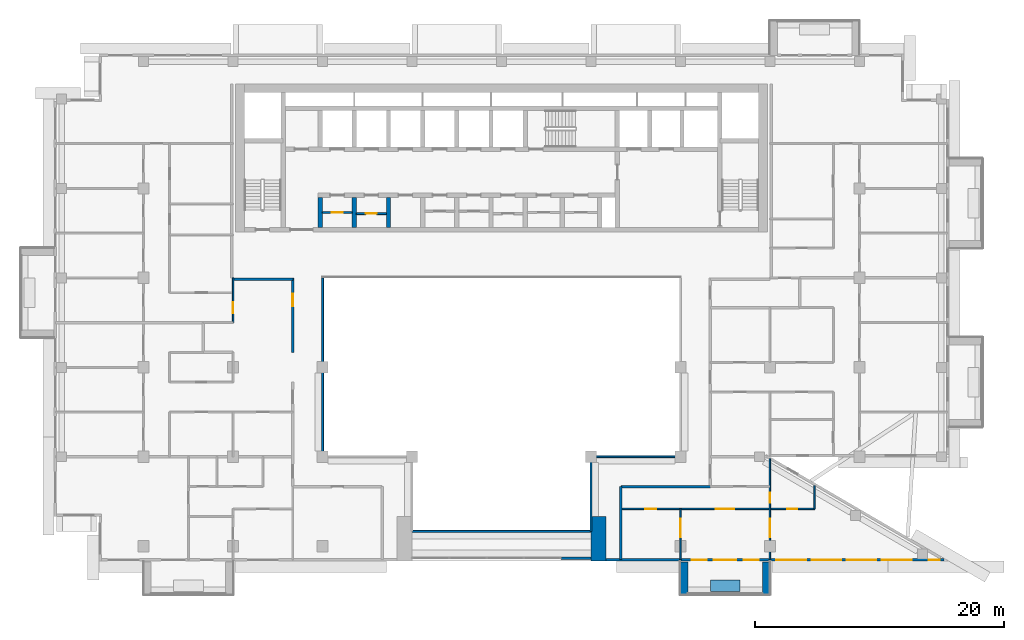
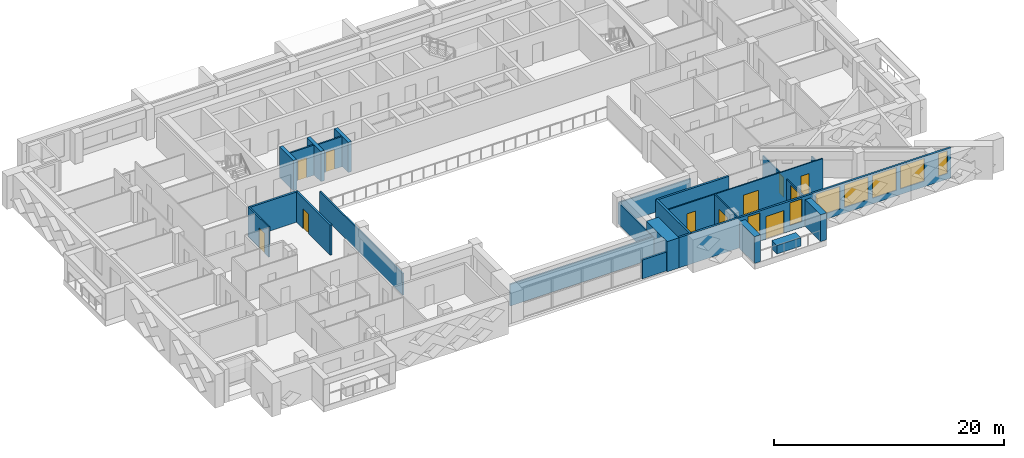
# One storey, part 8 of 20: 24 walls, 11 doors, 7 windows, 18 openings.
"""IFC4 building model written with IfcOpenShell, lengths in metres."""

import ifcopenshell
import ifcopenshell.guid

model = None  # the IFC model being written
_history = None  # IfcOwnerHistory: only IFC2X3 demands one
_inside = {}  # id of a spatial element -> (the spatial element, [elements in it])
_under = {}  # id of a project, library or spatial element -> (it, [spatial elements below it])
_declared = {}  # id of a project -> (the project, [libraries it declares])
_typed = {}  # id of a type object -> (the type object, [elements of that type])
_made_of = {}  # id of a material, layer set ... -> (it, [elements and type objects made of it])


def new_model(schema):
    """Start an empty IFC model of exactly this schema.

    Asked for "IFC4X3", IfcOpenShell would pick the latest addendum, in which some entities
    have other attributes; the version numbers below select the first issue.
    IFC2X3 requires an IfcOwnerHistory on every rooted entity: one is made here for all.
    """
    global model, _history
    if schema == "IFC4X3":
        model = ifcopenshell.file(schema_version=(4, 3, 0, 0))
    else:
        model = ifcopenshell.file(schema=schema)
    _inside.clear()
    _under.clear()
    _declared.clear()
    _typed.clear()
    _made_of.clear()
    _history = None
    if model.schema == "IFC2X3":
        org = make("IfcOrganization", Name="unknown")
        user = make(
            "IfcPersonAndOrganization",
            ThePerson=make("IfcPerson", FamilyName="unknown"),
            TheOrganization=org,
        )
        app = make(
            "IfcApplication",
            ApplicationDeveloper=org,
            Version="unknown",
            ApplicationFullName="unknown",
            ApplicationIdentifier="unknown",
        )
        _history = make(
            "IfcOwnerHistory",
            OwningUser=user,
            OwningApplication=app,
            ChangeAction="ADDED",
            CreationDate=0,
        )
    return model


def make(cls, **values):
    """One entity of the class cls with the attributes given. An attribute that is None is left unset."""
    return model.create_entity(
        cls, **{name: value for name, value in values.items() if value is not None}
    )


def rooted(cls, **values):
    """An entity with a GlobalId (a new one), such as an element, a storey or a relation."""
    return make(cls, GlobalId=ifcopenshell.guid.new(), OwnerHistory=_history, **values)


def si_unit(unit_type, name, prefix=None):
    """IfcSIUnit, for example si_unit("LENGTHUNIT", "METRE", prefix="MILLI")."""
    return make("IfcSIUnit", UnitType=unit_type, Prefix=prefix, Name=name)


def assignment(units):
    """IfcUnitAssignment: the units of a project."""
    return None if units is None else make("IfcUnitAssignment", Units=units)


def point(xyz):
    """IfcCartesianPoint."""
    return None if xyz is None else make("IfcCartesianPoint", Coordinates=xyz)


def direction(xyz):
    """IfcDirection."""
    return None if xyz is None else make("IfcDirection", DirectionRatios=xyz)


def frame(location, z_axis=None, x_axis=None):
    """IfcAxis2Placement3D, a coordinate frame: its origin and axes. An axis left out is left unset."""
    return make(
        "IfcAxis2Placement3D",
        Location=point(location),
        Axis=direction(z_axis),
        RefDirection=direction(x_axis),
    )


def frame_2d(location, x_axis=None):
    """IfcAxis2Placement2D, a coordinate frame in the plane: its origin and x axis."""
    return make(
        "IfcAxis2Placement2D", Location=point(location), RefDirection=direction(x_axis)
    )


def origin():
    """The frame at (0, 0, 0) with its axes left unset."""
    return frame((0.0, 0.0, 0.0))


def place(relative_to, where):
    """IfcLocalPlacement: puts the frame where relative to a parent placement (None: the world)."""
    return make(
        "IfcLocalPlacement", PlacementRelTo=relative_to, RelativePlacement=where
    )


def context(
    kind, dimensions, precision=None, world=None, true_north=None, identifier=None
):
    """IfcGeometricRepresentationContext, for example the 3D "Model" context."""
    return make(
        "IfcGeometricRepresentationContext",
        ContextIdentifier=identifier,
        ContextType=kind,
        CoordinateSpaceDimension=dimensions,
        Precision=precision,
        WorldCoordinateSystem=world,
        TrueNorth=true_north,
    )


def subcontext(parent, identifier, kind, view, scale=None):
    """IfcGeometricRepresentationSubContext, for example "Body" below "Model"."""
    return make(
        "IfcGeometricRepresentationSubContext",
        ContextIdentifier=identifier,
        ContextType=kind,
        ParentContext=parent,
        TargetScale=scale,
        TargetView=view,
    )


def project(units=None, contexts=None):
    """IfcProject with its units and contexts."""
    return rooted(
        "IfcProject",
        Name="project",
        RepresentationContexts=contexts,
        UnitsInContext=assignment(units),
    )


def spatial(cls, under=None, at=None, **own):
    """A site, building, storey or space (cls), placed at a placement, below another one or the project."""
    s = rooted(cls, ObjectPlacement=at, **own)
    if under is not None:
        _under.setdefault(under.id(), (under, []))[1].append(s)
    return s


def profile(cls, at=None, kind="AREA", **sizes):
    """A parametric profile (cls). Its sizes go by their IFC names, for example OverallWidth=200.0."""
    return make(cls, ProfileType=kind, Position=at, **sizes)


def rectangle(**sizes):
    """IfcRectangleProfileDef."""
    return profile("IfcRectangleProfileDef", **sizes)


def extrude(swept, where, along, depth):
    """IfcExtrudedAreaSolid: the profile swept, set in the frame where, extruded along a direction by depth."""
    return make(
        "IfcExtrudedAreaSolid",
        SweptArea=swept,
        Position=where,
        ExtrudedDirection=direction(along),
        Depth=depth,
    )


def shape(context_of_items, identifier, shape_type, items):
    """IfcShapeRepresentation: the items that make up one representation, for example the "Body"."""
    return make(
        "IfcShapeRepresentation",
        ContextOfItems=context_of_items,
        RepresentationIdentifier=identifier,
        RepresentationType=shape_type,
        Items=items,
    )


def material(Name=None, Category=None):
    """IfcMaterial."""
    return make("IfcMaterial", Name=Name, Category=Category)


def layer(
    of_material, thickness, ventilated=None, Name=None, Category=None, Priority=None
):
    """IfcMaterialLayer: one layer of a wall or slab, of a material (None: an air gap)."""
    return make(
        "IfcMaterialLayer",
        Material=of_material,
        LayerThickness=thickness,
        IsVentilated=ventilated,
        Name=Name,
        Category=Category,
        Priority=Priority,
    )


def layer_set(layers, Name=None):
    """IfcMaterialLayerSet."""
    return make("IfcMaterialLayerSet", MaterialLayers=layers, LayerSetName=Name)


def made_of(thing, what):
    """Note that an element or type object is made of a material, layer set ...; save() writes the relation."""
    if what is not None:
        _made_of.setdefault(what.id(), (what, []))[1].append(thing)
    return thing


def type_object(cls, material=None, **own):
    """A type object (cls), such as IfcWallType, which elements share."""
    return made_of(rooted(cls, **own), material)


def element(
    cls,
    number,
    at=None,
    inside=None,
    cuts=None,
    type_object=None,
    material=None,
    context=None,
    identifier="Body",
    shape_type=None,
    held_by="IfcProductDefinitionShape",
    body=None,
    shapes=None,
    **own,
):
    """One element of the class cls, such as IfcWall. Its Tag is "e" and its number.

    at: its placement. inside: the storey or other place that contains it. cuts: it is an
    opening in that element (IfcRelVoidsElement). A single representation is given by context,
    identifier, shape_type and body (its items); several are given by shapes. held_by: the class
    of the entity that holds the representations. save() writes the other relations.
    """
    e = rooted(cls, Tag="e%d" % number, ObjectPlacement=at, **own)
    if body is not None:
        shapes = [shape(context, identifier, shape_type, body)]
    if shapes is not None:
        e.Representation = make(held_by, Representations=shapes)
    if inside is not None:
        _inside.setdefault(inside.id(), (inside, []))[1].append(e)
    if cuts is not None:
        rooted(
            "IfcRelVoidsElement", RelatingBuildingElement=cuts, RelatedOpeningElement=e
        )
    if type_object is not None:
        _typed.setdefault(type_object.id(), (type_object, []))[1].append(e)
    return made_of(e, material)


def fill(opening, filler):
    """IfcRelFillsElement: the door or window that sits in an opening."""
    return rooted(
        "IfcRelFillsElement",
        RelatingOpeningElement=opening,
        RelatedBuildingElement=filler,
    )


def aggregate(whole, parts):
    """IfcRelAggregates: a whole, such as a stair, and the parts it consists of."""
    return rooted("IfcRelAggregates", RelatingObject=whole, RelatedObjects=parts)


def save(model, path):
    """Write the relations noted so far, then the file.

    IfcRelAggregates (storeys below a building ...), IfcRelContainedInSpatialStructure (elements
    in a storey), IfcRelDefinesByType, IfcRelAssociatesMaterial and IfcRelDeclares: one each for
    every whole, place, type object, material and project.
    """
    for whole, parts in _under.values():
        aggregate(whole, parts)
    for where, things in _inside.values():
        rooted(
            "IfcRelContainedInSpatialStructure",
            RelatedElements=things,
            RelatingStructure=where,
        )
    for kind, things in _typed.values():
        rooted("IfcRelDefinesByType", RelatedObjects=things, RelatingType=kind)
    for what, things in _made_of.values():
        rooted("IfcRelAssociatesMaterial", RelatedObjects=things, RelatingMaterial=what)
    for by, libraries in _declared.values():
        rooted("IfcRelDeclares", RelatingContext=by, RelatedDefinitions=libraries)
    model.write(path)


model = new_model("IFC4")

# Units and contexts
model_context = context("Model", 3, precision=1e-05, world=origin(), true_north=direction((0.0, 1.0)))
body_context = subcontext(model_context, "Body", "Model", "MODEL_VIEW")
ifc_project = project(units=[si_unit("LENGTHUNIT", "METRE"), si_unit("AREAUNIT", "SQUARE_METRE"), si_unit("VOLUMEUNIT", "CUBIC_METRE"), si_unit("PLANEANGLEUNIT", "RADIAN"), si_unit("MASSUNIT", "GRAM", prefix="KILO")], contexts=[model_context])

# Site, building, storey
site_placement = place(None, origin())
site = spatial("IfcSite", under=ifc_project, at=site_placement, CompositionType="ELEMENT")
building_placement = place(site_placement, origin())
building = spatial("IfcBuilding", under=site, at=building_placement, Name="Saffron Iwan Residences", CompositionType="ELEMENT")
storey_placement = place(building_placement, frame((0.0, 0.0, 188.5)))
storey = spatial("IfcBuildingStorey", under=building, at=storey_placement, Name="L50", CompositionType="ELEMENT", Elevation=188.5)

# Walls
ifc_material_1 = material(Name="Fire-rated glazing", Category="glass")
ifc_layer_1 = layer(ifc_material_1, 0.14990234375)
ifc_layer_set_1 = layer_set([ifc_layer_1], Name="Fire-rated glazing")
wall_type_1 = type_object("IfcWallType", Name="Atrium glazed screen 150", PredefinedType="SOLIDWALL", material=ifc_layer_set_1)
wall_1_placement = place(storey_placement, frame((43.199951171875, 42.0, 0.0), z_axis=(0.0, 0.0, 1.0), x_axis=(1.0, 0.0, 0.0)))
element("IfcWall", 1, at=wall_1_placement, inside=storey, type_object=wall_type_1, Name="W-L50-SCREEN-h42-43.2", PredefinedType="SOLIDWALL", context=body_context, shape_type="SweptSolid", body=[
    extrude(rectangle(XDim=14.400146484375, YDim=0.14990234375, at=frame_2d((7.2001953125, 0.0))), origin(), (0.0, 0.0, 1.0), 2.300048828125),
])
wall_2_placement = place(storey_placement, frame((57.60009765625, 48.0, 0.0), z_axis=(0.0, 0.0, 1.0), x_axis=(1.0, 0.0, 0.0)))
element("IfcWall", 2, at=wall_2_placement, inside=storey, type_object=wall_type_1, Name="W-L50-SCREEN-h48-57.6", PredefinedType="SOLIDWALL", context=body_context, shape_type="SweptSolid", body=[
    extrude(rectangle(XDim=7.199951171875, YDim=0.14990234375, at=frame_2d((3.60009765625, 0.0))), origin(), (0.0, 0.0, 1.0), 2.300048828125),
])
wall_3_placement = place(storey_placement, frame((36.0, 48.0, 0.0), z_axis=(0.0, 0.0, 1.0), x_axis=(0.0, 1.0, 0.0)))
element("IfcWall", 3, at=wall_3_placement, inside=storey, type_object=wall_type_1, Name="W-L50-SCREEN-v36-48", PredefinedType="SOLIDWALL", context=body_context, shape_type="SweptSolid", body=[
    extrude(rectangle(XDim=14.39990234375, YDim=0.14990234375, at=frame_2d((7.199951171875, 0.0))), origin(), (0.0, 0.0, 1.0), 2.300048828125),
])
wall_4_placement = place(storey_placement, frame((57.60009765625, 42.0, 0.0), z_axis=(0.0, 0.0, 1.0), x_axis=(0.0, 1.0, 0.0)))
element("IfcWall", 4, at=wall_4_placement, inside=storey, type_object=wall_type_1, Name="W-L50-SCREEN-v57.6-42", PredefinedType="SOLIDWALL", context=body_context, shape_type="SweptSolid", body=[
    extrude(rectangle(XDim=6.0, YDim=0.14990234375, at=frame_2d((3.0, 0.0))), origin(), (0.0, 0.0, 1.0), 2.300048828125),
])
ifc_material_2 = material(Name="Concrete C50/60 white painted", Category="concrete")
ifc_layer_2 = layer(ifc_material_2, 0.60009765625)
ifc_layer_set_2 = layer_set([ifc_layer_2], Name="Concrete C50/60 white painted")
wall_type_2 = type_object("IfcWallType", Name="BALCONY FIN 600", PredefinedType="SOLIDWALL", material=ifc_layer_set_2)
for number, where, z_axis, x_axis, name in (
    (5, (65.10009765625, 39.550048828125, 0.0), (0.0, 0.0, 1.0), (0.0, -1.0, 0.0), "Balcony fin L50 11-1a"),
    (6, (71.699951171875, 39.550048828125, 0.0), (0.0, 0.0, 1.0), (0.0, -1.0, 0.0), "Balcony fin L50 11-1b"),
):
    element("IfcWall", number, at=place(storey_placement, frame(where, z_axis=z_axis, x_axis=x_axis)), inside=storey, type_object=wall_type_2, Name=name, PredefinedType="SOLIDWALL", context=body_context, shape_type="SweptSolid", body=[
        extrude(rectangle(XDim=2.650146484375, YDim=0.60009765625, at=frame_2d((1.3251953125, 0.0))), origin(), (0.0, 0.0, 1.0), 2.85009765625),
    ])
ifc_material_3 = material(Name="Concrete C35/45 white painted", Category="concrete")
ifc_layer_3 = layer(ifc_material_3, 0.14990234375)
ifc_layer_set_3 = layer_set([ifc_layer_3], Name="Concrete C35/45 white painted")
wall_type_3 = type_object("IfcWallType", Name="BALCONY PLANTER", PredefinedType="SOLIDWALL", material=ifc_layer_set_3)
wall_5_placement = place(storey_placement, frame((67.199951171875, 37.625, 0.0), z_axis=(0.0, 0.0, 1.0), x_axis=(1.0, 0.0, 0.0)))
element("IfcWall", 7, at=wall_5_placement, inside=storey, type_object=wall_type_3, Name="PLANTER L50 11-1", PredefinedType="SOLIDWALL", context=body_context, shape_type="SweptSolid", body=[
    extrude(rectangle(XDim=2.400146484375, YDim=0.89990234375, at=frame_2d((1.2001953125, 0.0))), origin(), (0.0, 0.0, 1.0), 0.89990234375),
])

# Wall, opening, door
ifc_material_4 = material(Name="Fire-rated plasterboard partition")
ifc_layer_4 = layer(ifc_material_4, 0.14990234375)
ifc_layer_set_4 = layer_set([ifc_layer_4], Name="Fire-rated plasterboard partition")
wall_type_4 = type_object("IfcWallType", Name="Core partition 150", PredefinedType="PARTITIONING", material=ifc_layer_set_4)
wall_6_placement = place(storey_placement, frame((35.97509765625, 67.66259765625, 0.0), z_axis=(0.0, 0.0, 1.0), x_axis=(1.0, 0.0, 0.0)))
wall_6 = element("IfcWall", 8, at=wall_6_placement, inside=storey, type_object=wall_type_4, Name="Core partition P01", PredefinedType="PARTITIONING", context=body_context, shape_type="SweptSolid", body=[
    extrude(rectangle(XDim=2.39990234375, YDim=0.14990234375, at=frame_2d((1.199951171875, 0.0))), origin(), (0.0, 0.0, 1.0), 3.199951171875),
])
opening_1_placement = place(wall_6_placement, frame((0.75, 0.0, 0.0)))
opening_1 = element("IfcOpeningElement", 9, at=opening_1_placement, cuts=wall_6, Name="Opening SB", PredefinedType="OPENING", context=body_context, shape_type="SweptSolid", body=[
    extrude(rectangle(XDim=0.89990234375, YDim=2.10009765625, at=frame_2d((0.449951171875, 1.050048828125))), frame((0.0, 0.0849609375, 0.0), z_axis=(0.0, -1.0, 0.0), x_axis=(1.0, 0.0, 0.0)), (0.0, 0.0, 1.0), 0.169921875),
])
ifc_material_5 = material(Name="Steel fire door", Category="steel")
door_type_1 = type_object("IfcDoorType", Name="Store door 900", OperationType="NOTDEFINED", PredefinedType="DOOR", material=ifc_material_5)
door_1_placement = place(opening_1_placement, origin())
door_1 = element("IfcDoor", 10, at=door_1_placement, inside=storey, type_object=door_type_1, Name="Door Mop store", OperationType="SINGLE_SWING_RIGHT", OverallHeight=2.10009765625, OverallWidth=0.89990234375, PredefinedType="DOOR", context=body_context, shape_type="SweptSolid", body=[
    extrude(rectangle(XDim=0.89990234375, YDim=2.10009765625, at=frame_2d((0.449951171875, 1.050048828125))), frame((0.0, 0.02490234375, 0.0), z_axis=(0.0, -1.0, 0.0), x_axis=(1.0, 0.0, 0.0)), (0.0, 0.0, 1.0), 0.050048828125),
])
fill(opening_1, door_1)

wall_7_placement = place(storey_placement, frame((38.72509765625, 67.5654296875, 0.0), z_axis=(0.0, 0.0, 1.0), x_axis=(1.0, 0.0, 0.0)))
wall_7 = element("IfcWall", 11, at=wall_7_placement, inside=storey, type_object=wall_type_4, Name="Core partition P02", PredefinedType="PARTITIONING", context=body_context, shape_type="SweptSolid", body=[
    extrude(rectangle(XDim=2.39990234375, YDim=0.14990234375, at=frame_2d((1.199951171875, 0.0))), origin(), (0.0, 0.0, 1.0), 3.199951171875),
])
opening_2_placement = place(wall_7_placement, frame((0.75, 0.0, 0.0)))
opening_2 = element("IfcOpeningElement", 12, at=opening_2_placement, cuts=wall_7, Name="Opening SB", PredefinedType="OPENING", context=body_context, shape_type="SweptSolid", body=[
    extrude(rectangle(XDim=0.89990234375, YDim=2.10009765625, at=frame_2d((0.449951171875, 1.050048828125))), frame((0.0, 0.0849609375, 0.0), z_axis=(0.0, -1.0, 0.0), x_axis=(1.0, 0.0, 0.0)), (0.0, 0.0, 1.0), 0.169921875),
])
door_2_placement = place(opening_2_placement, origin())
door_2 = element("IfcDoor", 13, at=door_2_placement, inside=storey, type_object=door_type_1, Name="Door Spares store", OperationType="SINGLE_SWING_LEFT", OverallHeight=2.10009765625, OverallWidth=0.89990234375, PredefinedType="DOOR", context=body_context, shape_type="SweptSolid", body=[
    extrude(rectangle(XDim=0.89990234375, YDim=2.10009765625, at=frame_2d((0.449951171875, 1.050048828125))), frame((0.0, 0.02490234375, 0.0), z_axis=(0.0, -1.0, 0.0), x_axis=(1.0, 0.0, 0.0)), (0.0, 0.0, 1.0), 0.050048828125),
])
fill(opening_2, door_2)

# Wall, openings, door, windows
ifc_material_6 = material(Name="Concrete C40/50", Category="concrete")
ifc_layer_5 = layer(ifc_material_6, 0.199951171875)
ifc_layer_set_5 = layer_set([ifc_layer_5], Name="Concrete C40/50")
wall_type_5 = type_object("IfcWallType", Name="EXTERNAL WALL 200", PredefinedType="SOLIDWALL", material=ifc_layer_set_5)
wall_8_placement = place(storey_placement, frame((58.800048828125, 39.699951171875, 0.0), z_axis=(0.0, 0.0, 1.0), x_axis=(1.0, 0.0, 0.0)))
wall_8 = element("IfcWall", 14, at=wall_8_placement, inside=storey, type_object=wall_type_5, Name="External wall L50 F11.1", PredefinedType="SOLIDWALL", context=body_context, shape_type="SweptSolid", body=[
    extrude(rectangle(XDim=27.22998046875, YDim=0.199951171875, at=frame_2d((13.614990234375, 0.0))), origin(), (0.0, 0.0, 1.0), 3.199951171875),
])
opening_3_placement = place(wall_8_placement, frame((8.699951171875, 0.0, 0.0)))
opening_3 = element("IfcOpeningElement", 15, at=opening_3_placement, cuts=wall_8, Name="Opening BD1", PredefinedType="OPENING", context=body_context, shape_type="SweptSolid", body=[
    extrude(rectangle(XDim=1.800048828125, YDim=2.39990234375, at=frame_2d((0.89990234375, 1.199951171875))), frame((0.0, 0.10986328125, 0.0), z_axis=(0.0, -1.0, 0.0), x_axis=(1.0, 0.0, 0.0)), (0.0, 0.0, 1.0), 0.219970703125),
])
opening_4_placement = place(wall_8_placement, frame((6.89990234375, 0.0, 0.60009765625)))
opening_4 = element("IfcOpeningElement", 16, at=opening_4_placement, cuts=wall_8, Name="Opening W3", PredefinedType="OPENING", context=body_context, shape_type="SweptSolid", body=[
    extrude(rectangle(XDim=1.199951171875, YDim=2.39990234375, at=frame_2d((0.60009765625, 1.199951171875))), frame((0.0, 0.10986328125, 0.0), z_axis=(0.0, -1.0, 0.0), x_axis=(1.0, 0.0, 0.0)), (0.0, 0.0, 1.0), 0.219970703125),
])
opening_5_placement = place(wall_8_placement, frame((11.10009765625, 0.0, 0.60009765625)))
opening_5 = element("IfcOpeningElement", 17, at=opening_5_placement, cuts=wall_8, Name="Opening W3", PredefinedType="OPENING", context=body_context, shape_type="SweptSolid", body=[
    extrude(rectangle(XDim=1.199951171875, YDim=2.39990234375, at=frame_2d((0.60009765625, 1.199951171875))), frame((0.0, 0.10986328125, 0.0), z_axis=(0.0, -1.0, 0.0), x_axis=(1.0, 0.0, 0.0)), (0.0, 0.0, 1.0), 0.219970703125),
])
opening_6_placement = place(wall_8_placement, frame((13.72509765625, 0.0, 0.60009765625)))
opening_6 = element("IfcOpeningElement", 18, at=opening_6_placement, cuts=wall_8, Name="Opening W1", PredefinedType="OPENING", context=body_context, shape_type="SweptSolid", body=[
    extrude(rectangle(XDim=2.39990234375, YDim=2.39990234375, at=frame_2d((1.199951171875, 1.199951171875))), frame((0.0, 0.10986328125, 0.0), z_axis=(0.0, -1.0, 0.0), x_axis=(1.0, 0.0, 0.0)), (0.0, 0.0, 1.0), 0.219970703125),
])
opening_7_placement = place(wall_8_placement, frame((16.550537109375, 0.0, 0.60009765625)))
opening_7 = element("IfcOpeningElement", 19, at=opening_7_placement, cuts=wall_8, Name="Opening W1", PredefinedType="OPENING", context=body_context, shape_type="SweptSolid", body=[
    extrude(rectangle(XDim=2.39990234375, YDim=2.39990234375, at=frame_2d((1.199951171875, 1.199951171875))), frame((0.0, 0.10986328125, 0.0), z_axis=(0.0, -1.0, 0.0), x_axis=(1.0, 0.0, 0.0)), (0.0, 0.0, 1.0), 0.219970703125),
])
opening_8_placement = place(wall_8_placement, frame((19.375732421875, 0.0, 0.60009765625)))
opening_8 = element("IfcOpeningElement", 20, at=opening_8_placement, cuts=wall_8, Name="Opening W1", PredefinedType="OPENING", context=body_context, shape_type="SweptSolid", body=[
    extrude(rectangle(XDim=2.39990234375, YDim=2.39990234375, at=frame_2d((1.199951171875, 1.199951171875))), frame((0.0, 0.10986328125, 0.0), z_axis=(0.0, -1.0, 0.0), x_axis=(1.0, 0.0, 0.0)), (0.0, 0.0, 1.0), 0.219970703125),
])
opening_9_placement = place(wall_8_placement, frame((22.200927734375, 0.0, 0.60009765625)))
opening_9 = element("IfcOpeningElement", 21, at=opening_9_placement, cuts=wall_8, Name="Opening W1", PredefinedType="OPENING", context=body_context, shape_type="SweptSolid", body=[
    extrude(rectangle(XDim=2.39990234375, YDim=2.39990234375, at=frame_2d((1.199951171875, 1.199951171875))), frame((0.0, 0.10986328125, 0.0), z_axis=(0.0, -1.0, 0.0), x_axis=(1.0, 0.0, 0.0)), (0.0, 0.0, 1.0), 0.219970703125),
])
opening_10_placement = place(wall_8_placement, frame((25.978271484375, 0.0, 0.60009765625)))
opening_10 = element("IfcOpeningElement", 22, at=opening_10_placement, cuts=wall_8, Name="Opening W10", PredefinedType="OPENING", context=body_context, shape_type="SweptSolid", body=[
    extrude(rectangle(XDim=0.89990234375, YDim=2.39990234375, at=frame_2d((0.449951171875, 1.199951171875))), frame((0.0, 0.10986328125, 0.0), z_axis=(0.0, -1.0, 0.0), x_axis=(1.0, 0.0, 0.0)), (0.0, 0.0, 1.0), 0.219970703125),
])
ifc_material_7 = material(Name="Clear glass, laminated double glazed", Category="glass")
door_type_2 = type_object("IfcDoorType", Name="BALCONY DOOR 1800 x 2400", OperationType="DOUBLE_DOOR_SLIDING", PredefinedType="DOOR", material=ifc_material_7)
door_3_placement = place(opening_3_placement, origin())
door_3 = element("IfcDoor", 23, at=door_3_placement, inside=storey, type_object=door_type_2, Name="Balcony door L50 F11.0", OperationType="DOUBLE_DOOR_SLIDING", OverallHeight=2.39990234375, OverallWidth=1.800048828125, PredefinedType="DOOR", context=body_context, shape_type="SweptSolid", body=[
    extrude(rectangle(XDim=1.800048828125, YDim=2.39990234375, at=frame_2d((0.89990234375, 1.199951171875))), frame((0.0, 0.02490234375, 0.0), z_axis=(0.0, -1.0, 0.0), x_axis=(1.0, 0.0, 0.0)), (0.0, 0.0, 1.0), 0.050048828125),
])
fill(opening_3, door_3)
window_type_1 = type_object("IfcWindowType", Name="WINDOW 1200 x 2400", PartitioningType="SINGLE_PANEL", PredefinedType="WINDOW", material=ifc_material_7)
window_1_placement = place(opening_4_placement, origin())
window_1 = element("IfcWindow", 24, at=window_1_placement, inside=storey, type_object=window_type_1, Name="Window L50 F11.1", OverallHeight=2.39990234375, OverallWidth=1.199951171875, PartitioningType="SINGLE_PANEL", PredefinedType="WINDOW", context=body_context, shape_type="SweptSolid", body=[
    extrude(rectangle(XDim=1.199951171875, YDim=2.39990234375, at=frame_2d((0.60009765625, 1.199951171875))), frame((0.0, 0.030029296875, 0.0), z_axis=(0.0, -1.0, 0.0), x_axis=(1.0, 0.0, 0.0)), (0.0, 0.0, 1.0), 0.06005859375),
])
fill(opening_4, window_1)
window_2_placement = place(opening_5_placement, origin())
window_2 = element("IfcWindow", 25, at=window_2_placement, inside=storey, type_object=window_type_1, Name="Window L50 F11.2", OverallHeight=2.39990234375, OverallWidth=1.199951171875, PartitioningType="SINGLE_PANEL", PredefinedType="WINDOW", context=body_context, shape_type="SweptSolid", body=[
    extrude(rectangle(XDim=1.199951171875, YDim=2.39990234375, at=frame_2d((0.60009765625, 1.199951171875))), frame((0.0, 0.030029296875, 0.0), z_axis=(0.0, -1.0, 0.0), x_axis=(1.0, 0.0, 0.0)), (0.0, 0.0, 1.0), 0.06005859375),
])
fill(opening_5, window_2)
window_type_2 = type_object("IfcWindowType", Name="WINDOW 2400 x 2400", PartitioningType="DOUBLE_PANEL_VERTICAL", PredefinedType="WINDOW", material=ifc_material_7)
window_3_placement = place(opening_6_placement, origin())
window_3 = element("IfcWindow", 26, at=window_3_placement, inside=storey, type_object=window_type_2, Name="Window L50 F11.3", OverallHeight=2.39990234375, OverallWidth=2.39990234375, PartitioningType="DOUBLE_PANEL_VERTICAL", PredefinedType="WINDOW", context=body_context, shape_type="SweptSolid", body=[
    extrude(rectangle(XDim=2.39990234375, YDim=2.39990234375, at=frame_2d((1.199951171875, 1.199951171875))), frame((0.0, 0.030029296875, 0.0), z_axis=(0.0, -1.0, 0.0), x_axis=(1.0, 0.0, 0.0)), (0.0, 0.0, 1.0), 0.06005859375),
])
fill(opening_6, window_3)
window_4_placement = place(opening_7_placement, origin())
window_4 = element("IfcWindow", 27, at=window_4_placement, inside=storey, type_object=window_type_2, Name="Window L50 F11.4", OverallHeight=2.39990234375, OverallWidth=2.39990234375, PartitioningType="DOUBLE_PANEL_VERTICAL", PredefinedType="WINDOW", context=body_context, shape_type="SweptSolid", body=[
    extrude(rectangle(XDim=2.39990234375, YDim=2.39990234375, at=frame_2d((1.199951171875, 1.199951171875))), frame((0.0, 0.030029296875, 0.0), z_axis=(0.0, -1.0, 0.0), x_axis=(1.0, 0.0, 0.0)), (0.0, 0.0, 1.0), 0.06005859375),
])
fill(opening_7, window_4)
window_5_placement = place(opening_8_placement, origin())
window_5 = element("IfcWindow", 28, at=window_5_placement, inside=storey, type_object=window_type_2, Name="Window L50 F11.5", OverallHeight=2.39990234375, OverallWidth=2.39990234375, PartitioningType="DOUBLE_PANEL_VERTICAL", PredefinedType="WINDOW", context=body_context, shape_type="SweptSolid", body=[
    extrude(rectangle(XDim=2.39990234375, YDim=2.39990234375, at=frame_2d((1.199951171875, 1.199951171875))), frame((0.0, 0.030029296875, 0.0), z_axis=(0.0, -1.0, 0.0), x_axis=(1.0, 0.0, 0.0)), (0.0, 0.0, 1.0), 0.06005859375),
])
fill(opening_8, window_5)
window_6_placement = place(opening_9_placement, origin())
window_6 = element("IfcWindow", 29, at=window_6_placement, inside=storey, type_object=window_type_2, Name="Window L50 F11.6", OverallHeight=2.39990234375, OverallWidth=2.39990234375, PartitioningType="DOUBLE_PANEL_VERTICAL", PredefinedType="WINDOW", context=body_context, shape_type="SweptSolid", body=[
    extrude(rectangle(XDim=2.39990234375, YDim=2.39990234375, at=frame_2d((1.199951171875, 1.199951171875))), frame((0.0, 0.030029296875, 0.0), z_axis=(0.0, -1.0, 0.0), x_axis=(1.0, 0.0, 0.0)), (0.0, 0.0, 1.0), 0.06005859375),
])
fill(opening_9, window_6)
window_type_3 = type_object("IfcWindowType", Name="WINDOW 900 x 2400", PartitioningType="SINGLE_PANEL", PredefinedType="WINDOW", material=ifc_material_7)
window_7_placement = place(opening_10_placement, origin())
window_7 = element("IfcWindow", 30, at=window_7_placement, inside=storey, type_object=window_type_3, Name="Window L50 F11.7", OverallHeight=2.39990234375, OverallWidth=0.89990234375, PartitioningType="SINGLE_PANEL", PredefinedType="WINDOW", context=body_context, shape_type="SweptSolid", body=[
    extrude(rectangle(XDim=0.89990234375, YDim=2.39990234375, at=frame_2d((0.449951171875, 1.199951171875))), frame((0.0, 0.030029296875, 0.0), z_axis=(0.0, -1.0, 0.0), x_axis=(1.0, 0.0, 0.0)), (0.0, 0.0, 1.0), 0.06005859375),
])
fill(opening_10, window_7)

# Wall
wall_9_placement = place(storey_placement, frame((55.199951171875, 39.85009765625, 0.0), z_axis=(0.0, 0.0, 1.0), x_axis=(1.0, 0.0, 0.0)))
element("IfcWall", 31, at=wall_9_placement, inside=storey, type_object=wall_type_5, Name="External wall infill CWB-L50-0", PredefinedType="SOLIDWALL", context=body_context, shape_type="SweptSolid", body=[
    extrude(rectangle(XDim=2.400146484375, YDim=0.199951171875, at=frame_2d((1.2001953125, 0.0))), origin(), (0.0, 0.0, 1.0), 2.0),
])

# Wall, openings, doors
ifc_material_8 = material(Name="Gypsum board partition")
ifc_layer_6 = layer(ifc_material_8, 0.1201171875)
ifc_layer_set_6 = layer_set([ifc_layer_6], Name="Gypsum board partition")
wall_type_6 = type_object("IfcWallType", Name="Flat partition 120", PredefinedType="PARTITIONING", material=ifc_layer_set_6)
wall_10_placement = place(storey_placement, frame((60.0, 43.800048828125, 0.0), z_axis=(0.0, 0.0, 1.0), x_axis=(1.0, 0.0, 0.0)))
wall_10 = element("IfcWall", 32, at=wall_10_placement, inside=storey, type_object=wall_type_6, Name="W-L50-PART-h43.8-60", PredefinedType="PARTITIONING", context=body_context, shape_type="SweptSolid", body=[
    extrude(rectangle(XDim=15.60009765625, YDim=0.1201171875, at=frame_2d((7.800048828125, 0.0))), origin(), (0.0, 0.0, 1.0), 3.199951171875),
])
opening_11_placement = place(wall_10_placement, frame((7.64990234375, 0.0, 0.0)))
opening_11 = element("IfcOpeningElement", 33, at=opening_11_placement, cuts=wall_10, Name="Opening FD4", PredefinedType="OPENING", context=body_context, shape_type="SweptSolid", body=[
    extrude(rectangle(XDim=1.5, YDim=2.10009765625, at=frame_2d((0.75, 1.050048828125))), frame((0.0, 0.070068359375, 0.0), z_axis=(0.0, -1.0, 0.0), x_axis=(1.0, 0.0, 0.0)), (0.0, 0.0, 1.0), 0.14013671875),
])
opening_12_placement = place(wall_10_placement, frame((1.949951171875, 0.0, 0.0)))
opening_12 = element("IfcOpeningElement", 34, at=opening_12_placement, cuts=wall_10, Name="Opening FD2", PredefinedType="OPENING", context=body_context, shape_type="SweptSolid", body=[
    extrude(rectangle(XDim=0.89990234375, YDim=2.10009765625, at=frame_2d((0.449951171875, 1.050048828125))), frame((0.0, 0.070068359375, 0.0), z_axis=(0.0, -1.0, 0.0), x_axis=(1.0, 0.0, 0.0)), (0.0, 0.0, 1.0), 0.14013671875),
])
opening_13_placement = place(wall_10_placement, frame((13.39990234375, 0.0, 0.0)))
opening_13 = element("IfcOpeningElement", 35, at=opening_13_placement, cuts=wall_10, Name="Opening FD3", PredefinedType="OPENING", context=body_context, shape_type="SweptSolid", body=[
    extrude(rectangle(XDim=0.800048828125, YDim=2.10009765625, at=frame_2d((0.39990234375, 1.050048828125))), frame((0.0, 0.070068359375, 0.0), z_axis=(0.0, -1.0, 0.0), x_axis=(1.0, 0.0, 0.0)), (0.0, 0.0, 1.0), 0.14013671875),
])
ifc_material_9 = material(Name="Timber door", Category="wood")
door_type_3 = type_object("IfcDoorType", Name="Bathroom door 800", OperationType="NOTDEFINED", PredefinedType="DOOR", material=ifc_material_9)
door_4_placement = place(opening_13_placement, origin())
door_4 = element("IfcDoor", 36, at=door_4_placement, inside=storey, type_object=door_type_3, Name="Door L50-049", OperationType="SINGLE_SWING_LEFT", OverallHeight=2.10009765625, OverallWidth=0.800048828125, PredefinedType="DOOR", context=body_context, shape_type="SweptSolid", body=[
    extrude(rectangle(XDim=0.800048828125, YDim=2.10009765625, at=frame_2d((0.39990234375, 1.050048828125))), frame((0.0, 0.02490234375, 0.0), z_axis=(0.0, -1.0, 0.0), x_axis=(1.0, 0.0, 0.0)), (0.0, 0.0, 1.0), 0.050048828125),
])
fill(opening_13, door_4)
door_type_4 = type_object("IfcDoorType", Name="Double door 1500", OperationType="NOTDEFINED", PredefinedType="DOOR", material=ifc_material_9)
door_5_placement = place(opening_11_placement, origin())
door_5 = element("IfcDoor", 37, at=door_5_placement, inside=storey, type_object=door_type_4, Name="Door L50-045", OperationType="SINGLE_SWING_LEFT", OverallHeight=2.10009765625, OverallWidth=1.5, PredefinedType="DOOR", context=body_context, shape_type="SweptSolid", body=[
    extrude(rectangle(XDim=1.5, YDim=2.10009765625, at=frame_2d((0.75, 1.050048828125))), frame((0.0, 0.02490234375, 0.0), z_axis=(0.0, -1.0, 0.0), x_axis=(1.0, 0.0, 0.0)), (0.0, 0.0, 1.0), 0.050048828125),
])
fill(opening_11, door_5)
door_type_5 = type_object("IfcDoorType", Name="Flat door 900", OperationType="NOTDEFINED", PredefinedType="DOOR", material=ifc_material_9)
door_6_placement = place(opening_12_placement, origin())
door_6 = element("IfcDoor", 38, at=door_6_placement, inside=storey, type_object=door_type_5, Name="Door L50-046", OperationType="SINGLE_SWING_LEFT", OverallHeight=2.10009765625, OverallWidth=0.89990234375, PredefinedType="DOOR", context=body_context, shape_type="SweptSolid", body=[
    extrude(rectangle(XDim=0.89990234375, YDim=2.10009765625, at=frame_2d((0.449951171875, 1.050048828125))), frame((0.0, 0.02490234375, 0.0), z_axis=(0.0, -1.0, 0.0), x_axis=(1.0, 0.0, 0.0)), (0.0, 0.0, 1.0), 0.050048828125),
])
fill(opening_12, door_6)

# Wall, opening, door
wall_11_placement = place(storey_placement, frame((28.800048828125, 58.800048828125, 0.0), z_axis=(0.0, 0.0, 1.0), x_axis=(0.0, 1.0, 0.0)))
wall_11 = element("IfcWall", 39, at=wall_11_placement, inside=storey, type_object=wall_type_6, Name="W-L50-PART-v28.8-58.8", PredefinedType="PARTITIONING", context=body_context, shape_type="SweptSolid", body=[
    extrude(rectangle(XDim=3.599853515625, YDim=0.1201171875, at=frame_2d((1.7998046875, 0.0))), origin(), (0.0, 0.0, 1.0), 3.199951171875),
])
opening_14_placement = place(wall_11_placement, frame((0.75, 0.0, 0.0)))
opening_14 = element("IfcOpeningElement", 40, at=opening_14_placement, cuts=wall_11, Name="Opening FD2", PredefinedType="OPENING", context=body_context, shape_type="SweptSolid", body=[
    extrude(rectangle(XDim=0.89990234375, YDim=2.10009765625, at=frame_2d((0.449951171875, 1.050048828125))), frame((0.0, 0.070068359375, 0.0), z_axis=(0.0, -1.0, 0.0), x_axis=(1.0, 0.0, 0.0)), (0.0, 0.0, 1.0), 0.14013671875),
])
door_7_placement = place(opening_14_placement, origin())
door_7 = element("IfcDoor", 41, at=door_7_placement, inside=storey, type_object=door_type_5, Name="Door L50-024", OperationType="SINGLE_SWING_LEFT", OverallHeight=2.10009765625, OverallWidth=0.89990234375, PredefinedType="DOOR", context=body_context, shape_type="SweptSolid", body=[
    extrude(rectangle(XDim=0.89990234375, YDim=2.10009765625, at=frame_2d((0.449951171875, 1.050048828125))), frame((0.0, 0.02490234375, 0.0), z_axis=(0.0, -1.0, 0.0), x_axis=(1.0, 0.0, 0.0)), (0.0, 0.0, 1.0), 0.050048828125),
])
fill(opening_14, door_7)

wall_12_placement = place(storey_placement, frame((64.800048828125, 39.72509765625, 0.0), z_axis=(0.0, 0.0, 1.0), x_axis=(0.0, 1.0, 0.0)))
wall_12 = element("IfcWall", 42, at=wall_12_placement, inside=storey, type_object=wall_type_6, Name="W-L50-PART-v64.8-39.725", PredefinedType="PARTITIONING", context=body_context, shape_type="SweptSolid", body=[
    extrude(rectangle(XDim=4.074951171875, YDim=0.1201171875, at=frame_2d((2.03759765625, 0.0))), origin(), (0.0, 0.0, 1.0), 3.199951171875),
])
opening_15_placement = place(wall_12_placement, frame((1.78759765625, 0.0, 0.0)))
opening_15 = element("IfcOpeningElement", 43, at=opening_15_placement, cuts=wall_12, Name="Opening FD4", PredefinedType="OPENING", context=body_context, shape_type="SweptSolid", body=[
    extrude(rectangle(XDim=1.5, YDim=2.10009765625, at=frame_2d((0.75, 1.050048828125))), frame((0.0, 0.070068359375, 0.0), z_axis=(0.0, -1.0, 0.0), x_axis=(1.0, 0.0, 0.0)), (0.0, 0.0, 1.0), 0.14013671875),
])
door_8_placement = place(opening_15_placement, origin())
door_8 = element("IfcDoor", 44, at=door_8_placement, inside=storey, type_object=door_type_4, Name="Door L50-042", OperationType="SINGLE_SWING_RIGHT", OverallHeight=2.10009765625, OverallWidth=1.5, PredefinedType="DOOR", context=body_context, shape_type="SweptSolid", body=[
    extrude(rectangle(XDim=1.5, YDim=2.10009765625, at=frame_2d((0.75, 1.050048828125))), frame((0.0, 0.02490234375, 0.0), z_axis=(0.0, -1.0, 0.0), x_axis=(1.0, 0.0, 0.0)), (0.0, 0.0, 1.0), 0.050048828125),
])
fill(opening_15, door_8)

# Wall, openings, doors
wall_13_placement = place(storey_placement, frame((72.0, 39.72509765625, 0.0), z_axis=(0.0, 0.0, 1.0), x_axis=(0.0, 1.0, 0.0)))
wall_13 = element("IfcWall", 45, at=wall_13_placement, inside=storey, type_object=wall_type_6, Name="W-L50-PART-v72-39.725", PredefinedType="PARTITIONING", context=body_context, shape_type="SweptSolid", body=[
    extrude(rectangle(XDim=8.1298828125, YDim=0.1201171875, at=frame_2d((4.06494140625, 0.0))), origin(), (0.0, 0.0, 1.0), 2.300048828125),
])
opening_16_placement = place(wall_13_placement, frame((1.78759765625, 0.0, 0.0)))
opening_16 = element("IfcOpeningElement", 46, at=opening_16_placement, cuts=wall_13, Name="Opening FD4", PredefinedType="OPENING", context=body_context, shape_type="SweptSolid", body=[
    extrude(rectangle(XDim=1.5, YDim=2.10009765625, at=frame_2d((0.75, 1.050048828125))), frame((0.0, 0.070068359375, 0.0), z_axis=(0.0, -1.0, 0.0), x_axis=(1.0, 0.0, 0.0)), (0.0, 0.0, 1.0), 0.14013671875),
])
opening_17_placement = place(wall_13_placement, frame((4.574951171875, 0.0, 0.0)))
opening_17 = element("IfcOpeningElement", 47, at=opening_17_placement, cuts=wall_13, Name="Opening FD3", PredefinedType="OPENING", context=body_context, shape_type="SweptSolid", body=[
    extrude(rectangle(XDim=0.800048828125, YDim=2.10009765625, at=frame_2d((0.39990234375, 1.050048828125))), frame((0.0, 0.070068359375, 0.0), z_axis=(0.0, -1.0, 0.0), x_axis=(1.0, 0.0, 0.0)), (0.0, 0.0, 1.0), 0.14013671875),
])
door_9_placement = place(opening_17_placement, origin())
door_9 = element("IfcDoor", 48, at=door_9_placement, inside=storey, type_object=door_type_3, Name="Door L50-048", OperationType="SINGLE_SWING_LEFT", OverallHeight=2.10009765625, OverallWidth=0.800048828125, PredefinedType="DOOR", context=body_context, shape_type="SweptSolid", body=[
    extrude(rectangle(XDim=0.800048828125, YDim=2.10009765625, at=frame_2d((0.39990234375, 1.050048828125))), frame((0.0, 0.02490234375, 0.0), z_axis=(0.0, -1.0, 0.0), x_axis=(1.0, 0.0, 0.0)), (0.0, 0.0, 1.0), 0.050048828125),
])
fill(opening_17, door_9)
door_10_placement = place(opening_16_placement, origin())
door_10 = element("IfcDoor", 49, at=door_10_placement, inside=storey, type_object=door_type_4, Name="Door L50-047", OperationType="SINGLE_SWING_LEFT", OverallHeight=2.10009765625, OverallWidth=1.5, PredefinedType="DOOR", context=body_context, shape_type="SweptSolid", body=[
    extrude(rectangle(XDim=1.5, YDim=2.10009765625, at=frame_2d((0.75, 1.050048828125))), frame((0.0, 0.02490234375, 0.0), z_axis=(0.0, -1.0, 0.0), x_axis=(1.0, 0.0, 0.0)), (0.0, 0.0, 1.0), 0.050048828125),
])
fill(opening_16, door_10)

# Walls
wall_14_placement = place(storey_placement, frame((75.60009765625, 43.800048828125, 0.0), z_axis=(0.0, 0.0, 1.0), x_axis=(0.0, 1.0, 0.0)))
element("IfcWall", 50, at=wall_14_placement, inside=storey, type_object=wall_type_6, Name="W-L50-PART-v75.6-43.8", PredefinedType="PARTITIONING", context=body_context, shape_type="SweptSolid", body=[
    extrude(rectangle(XDim=1.868408203125, YDim=0.1201171875, at=frame_2d((0.93408203125, 0.0))), origin(), (0.0, 0.0, 1.0), 2.300048828125),
])
ifc_material_10 = material(Name="Fire-rated gypsum board wall")
ifc_layer_7 = layer(ifc_material_10, 0.199951171875)
ifc_layer_set_7 = layer_set([ifc_layer_7], Name="Fire-rated gypsum board wall")
wall_type_7 = type_object("IfcWallType", Name="Gallery wall 200", PredefinedType="SOLIDWALL", material=ifc_layer_set_7)
wall_15_placement = place(storey_placement, frame((60.0, 45.60009765625, 0.0), z_axis=(0.0, 0.0, 1.0), x_axis=(1.0, 0.0, 0.0)))
element("IfcWall", 51, at=wall_15_placement, inside=storey, type_object=wall_type_7, Name="W-L50-CORR-h45.6-60", PredefinedType="SOLIDWALL", context=body_context, shape_type="SweptSolid", body=[
    extrude(rectangle(XDim=7.199951171875, YDim=0.199951171875, at=frame_2d((3.60009765625, 0.0))), origin(), (0.0, 0.0, 1.0), 3.199951171875),
])
wall_16_placement = place(storey_placement, frame((28.800048828125, 62.300048828125, 0.0), z_axis=(0.0, 0.0, 1.0), x_axis=(1.0, 0.0, 0.0)))
element("IfcWall", 52, at=wall_16_placement, inside=storey, type_object=wall_type_7, Name="W-L50-CORR-h62.4-28.8", PredefinedType="SOLIDWALL", context=body_context, shape_type="SweptSolid", body=[
    extrude(rectangle(XDim=4.800048828125, YDim=0.199951171875, at=frame_2d((2.39990234375, 0.0))), origin(), (0.0, 0.0, 1.0), 3.199951171875),
])

# Wall, opening, door
wall_17_placement = place(storey_placement, frame((33.60009765625, 56.39990234375, 0.0), z_axis=(0.0, 0.0, 1.0), x_axis=(0.0, 1.0, 0.0)))
wall_17 = element("IfcWall", 53, at=wall_17_placement, inside=storey, type_object=wall_type_7, Name="W-L50-CORR-v33.6-56.4", PredefinedType="SOLIDWALL", context=body_context, shape_type="SweptSolid", body=[
    extrude(rectangle(XDim=6.0, YDim=0.199951171875, at=frame_2d((3.0, 0.0))), origin(), (0.0, 0.0, 1.0), 3.199951171875),
])
opening_18_placement = place(wall_17_placement, frame((3.699951171875, 0.0, 0.0)))
opening_18 = element("IfcOpeningElement", 54, at=opening_18_placement, cuts=wall_17, Name="Opening FD5", PredefinedType="OPENING", context=body_context, shape_type="SweptSolid", body=[
    extrude(rectangle(XDim=1.0, YDim=2.10009765625, at=frame_2d((0.5, 1.050048828125))), frame((0.0, 0.10986328125, 0.0), z_axis=(0.0, -1.0, 0.0), x_axis=(1.0, 0.0, 0.0)), (0.0, 0.0, 1.0), 0.219970703125),
])
ifc_material_11 = material(Name="Fire-rated timber door", Category="wood")
door_type_6 = type_object("IfcDoorType", Name="Lobby door 1000", OperationType="NOTDEFINED", PredefinedType="DOOR", material=ifc_material_11)
door_11_placement = place(opening_18_placement, origin())
door_11 = element("IfcDoor", 55, at=door_11_placement, inside=storey, type_object=door_type_6, Name="Door L50-025", OperationType="SINGLE_SWING_LEFT", OverallHeight=2.10009765625, OverallWidth=1.0, PredefinedType="DOOR", context=body_context, shape_type="SweptSolid", body=[
    extrude(rectangle(XDim=1.0, YDim=2.10009765625, at=frame_2d((0.5, 1.050048828125))), frame((0.0, 0.02490234375, 0.0), z_axis=(0.0, -1.0, 0.0), x_axis=(1.0, 0.0, 0.0)), (0.0, 0.0, 1.0), 0.050048828125),
])
fill(opening_18, door_11)

# Walls
wall_18_placement = place(storey_placement, frame((60.0, 39.72509765625, 0.0), z_axis=(0.0, 0.0, 1.0), x_axis=(0.0, 1.0, 0.0)))
element("IfcWall", 56, at=wall_18_placement, inside=storey, type_object=wall_type_7, Name="W-L50-CORR-v60-39.725", PredefinedType="SOLIDWALL", context=body_context, shape_type="SweptSolid", body=[
    extrude(rectangle(XDim=5.875, YDim=0.199951171875, at=frame_2d((2.9375, 0.0))), origin(), (0.0, 0.0, 1.0), 3.199951171875),
])
ifc_material_12 = material(Name="Concrete C50/60", Category="concrete")
ifc_layer_8 = layer(ifc_material_12, 0.35009765625)
ifc_layer_set_8 = layer_set([ifc_layer_8], Name="Concrete C50/60")
wall_type_8 = type_object("IfcWallType", Name="WALL CORE 350 C50/60 3200 HIGH", PredefinedType="SHEAR", material=ifc_layer_set_8)
for number, where, z_axis, x_axis, name in (
    (57, (35.800048828125, 66.449951171875, 0.0), (0.0, 0.0, 1.0), (0.0, 1.0, 0.0), "Core wall"),
    (58, (38.550048828125, 66.449951171875, 0.0), (0.0, 0.0, 1.0), (0.0, 1.0, 0.0), "Core wall"),
    (59, (41.300048828125, 66.449951171875, 0.0), (0.0, 0.0, 1.0), (0.0, 1.0, 0.0), "Core wall"),
):
    element("IfcWall", number, at=place(storey_placement, frame(where, z_axis=z_axis, x_axis=x_axis)), inside=storey, type_object=wall_type_8, Name=name, PredefinedType="SHEAR", context=body_context, shape_type="SweptSolid", body=[
        extrude(rectangle(XDim=2.425048828125, YDim=0.35009765625, at=frame_2d((1.21240234375, 0.0))), origin(), (0.0, 0.0, 1.0), 3.199951171875),
    ])
ifc_layer_9 = layer(ifc_material_12, 1.199951171875)
ifc_layer_set_9 = layer_set([ifc_layer_9], Name="Concrete C50/60")
wall_type_9 = type_object("IfcWallType", Name="WALL IWAN PIER 1200 C50/60 3200 HIGH", PredefinedType="SHEAR", material=ifc_layer_set_9)
wall_19_placement = place(storey_placement, frame((58.199951171875, 39.60009765625, 0.0), z_axis=(0.0, 0.0, 1.0), x_axis=(0.0, 1.0, 0.0)))
element("IfcWall", 60, at=wall_19_placement, inside=storey, type_object=wall_type_9, Name="IWAN PIER", PredefinedType="SHEAR", context=body_context, shape_type="SweptSolid", body=[
    extrude(rectangle(XDim=3.599853515625, YDim=1.199951171875, at=frame_2d((1.7998046875, 0.0))), origin(), (0.0, 0.0, 1.0), 3.199951171875),
])

save(model, "model.ifc")
